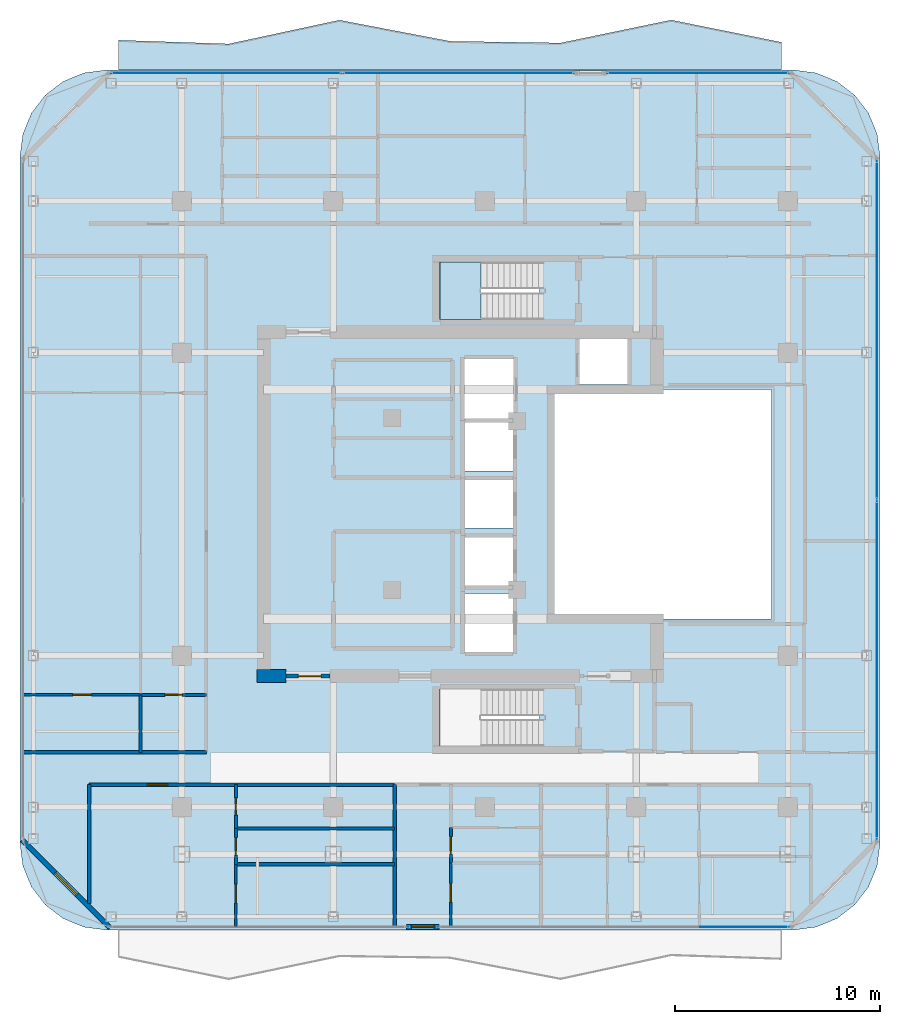
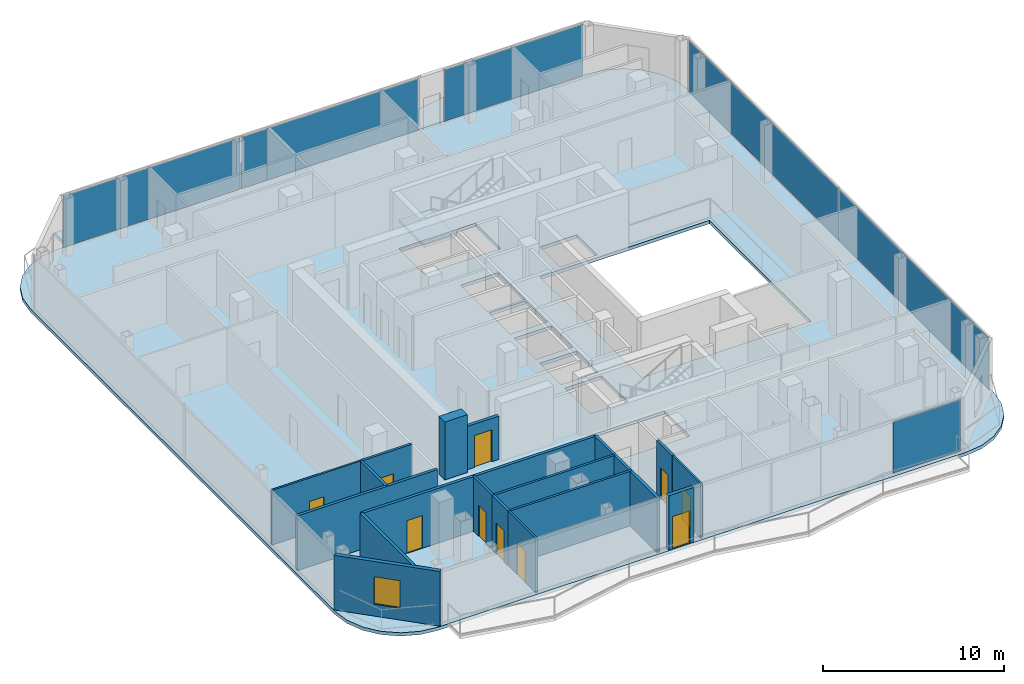
# One storey, part 15 of 22: 18 walls, 10 doors, 7 plates, 3 slabs, 1 window, 11 openings, 5 elements without a shape of their own.
"""IFC4 building model written with IfcOpenShell, lengths in metres."""

from ifc_helpers import new_model, si_unit, direction, frame, frame_2d, origin, origin_2d, place, context, subcontext, project, spatial, polyline, rectangle, outline, extrude, material, layer, layer_set, type_object, element, fill, aggregate, save


model = new_model("IFC4")

# Units and contexts
model_context = context("Model", 3, precision=1e-05, world=origin(), true_north=direction((0.0, 1.0)))
body_context = subcontext(model_context, "Body", "Model", "MODEL_VIEW")
ifc_project = project(units=[si_unit("LENGTHUNIT", "METRE"), si_unit("AREAUNIT", "SQUARE_METRE"), si_unit("VOLUMEUNIT", "CUBIC_METRE"), si_unit("PLANEANGLEUNIT", "RADIAN"), si_unit("MASSUNIT", "GRAM", prefix="KILO")], contexts=[model_context])

# Site, building, storey
site_placement = place(None, origin())
site = spatial("IfcSite", under=ifc_project, at=site_placement, CompositionType="ELEMENT")
building_placement = place(site_placement, origin())
building = spatial("IfcBuilding", under=site, at=building_placement, Name="Khorvyn Point Tower", CompositionType="ELEMENT")
storey_placement = place(building_placement, frame((0.0, 0.0, 305.39990234375)))
storey = spatial("IfcBuildingStorey", under=building, at=storey_placement, Name="L75", CompositionType="ELEMENT", Elevation=305.39990234375)

# Slab
ifc_material_1 = material(Name="Concrete C40/50", Category="concrete")
ifc_layer_1 = layer(ifc_material_1, 0.2099609375)
ifc_layer_set_1 = layer_set([ifc_layer_1], Name="Concrete C40/50 Rippling Balcony Slab 210")
slab_type_1 = type_object("IfcSlabType", Name="Concrete C40/50 Rippling Balcony Slab 210", PredefinedType="USERDEFINED", material=ifc_layer_set_1)
slab_1_placement = place(storey_placement, frame((0.0, 0.0, -0.2099609375)))
element("IfcSlab", 1, at=slab_1_placement, inside=storey, type_object=slab_type_1, Name="L75 North Sinusoidal Rippling Balcony", ObjectType="BALCONY", PredefinedType="USERDEFINED", context=body_context, shape_type="SweptSolid", body=[
    extrude(outline(polyline([(14.5, 21.199951171875), (14.5, 22.554931640625), (9.10009765625, 23.642333984375), (3.699951171875, 22.522705078125), (-1.699951171875, 22.60546875), (-7.10009765625, 23.638427734375), (-12.5, 22.47607421875), (-17.89990234375, 22.65771484375), (-17.89990234375, 21.199951171875), (14.5, 21.199951171875)])), origin(), (0.0, 0.0, 1.0), 0.2099609375),
])

# Stair, slab
stair_type = type_object("IfcStairType", Name="Tower Concrete C40/50 Dogleg Exit Stair", PredefinedType="HALF_TURN_STAIR", material=ifc_material_1)
stair_placement = place(storey_placement, origin())
stair = element("IfcStair", 2, at=stair_placement, inside=storey, type_object=stair_type, Name="L75 Tower Smokeproof Exit Stair North", PredefinedType="HALF_TURN_STAIR")
ifc_layer_2 = layer(ifc_material_1, 0.199951171875)
ifc_layer_set_2 = layer_set([ifc_layer_2], Name="Concrete C40/50 Stair Landing Slab 200")
slab_type_2 = type_object("IfcSlabType", Name="Concrete C40/50 Stair Landing Slab 200", PredefinedType="LANDING", material=ifc_layer_set_2)
slab_2_placement = place(storey_placement, frame((0.0, 0.0, 1.75)))
slab_2 = element("IfcSlab", 3, at=slab_2_placement, type_object=slab_type_2, Name="ST-02 landing 1", PredefinedType="LANDING", context=body_context, shape_type="SweptSolid", body=[
    extrude(outline(polyline([(-0.179931640625, 11.820068359375), (-2.199951171875, 11.820068359375), (-2.199951171875, 9.02001953125), (-0.179931640625, 9.02001953125), (-0.179931640625, 11.820068359375)])), origin(), (0.0, 0.0, 1.0), 0.2001953125),
])
aggregate(stair, [slab_2])

# Slab
ifc_layer_3 = layer(ifc_material_1, 0.264892578125)
ifc_layer_set_3 = layer_set([ifc_layer_3], Name="Concrete C40/50 Structural Floor Slab 265")
slab_type_3 = type_object("IfcSlabType", Name="Concrete C40/50 Structural Floor Slab 265", PredefinedType="FLOOR", material=ifc_layer_set_3)
slab_3_placement = place(storey_placement, frame((0.0, 0.0, -0.219970703125)))
element("IfcSlab", 4, at=slab_3_placement, inside=storey, type_object=slab_type_3, Name="L75 Main Structural Floor Slab", PredefinedType="FLOOR", context=body_context, shape_type="SweptSolid", body=[
    extrude(outline(polyline([(-18.5, -20.800048828125), (-19.5869140625, -20.656982421875), (-20.60009765625, -20.2373046875), (-21.4697265625, -19.56982421875), (-22.13720703125, -18.699951171875), (-22.556884765625, -17.68701171875), (-22.699951171875, -16.60009765625), (-22.699951171875, 17.0), (-22.556884765625, 18.0869140625), (-22.13720703125, 19.10009765625), (-21.4697265625, 19.9697265625), (-20.60009765625, 20.63720703125), (-19.5869140625, 21.056884765625), (-18.5, 21.199951171875), (15.10009765625, 21.199951171875), (16.18701171875, 21.056884765625), (17.199951171875, 20.63720703125), (18.06982421875, 19.9697265625), (18.7373046875, 19.10009765625), (19.156982421875, 18.0869140625), (19.300048828125, 17.0), (19.300048828125, -16.60009765625), (19.156982421875, -17.68701171875), (18.7373046875, -18.699951171875), (18.06982421875, -19.56982421875), (17.199951171875, -20.2373046875), (16.18701171875, -20.656982421875), (15.10009765625, -20.800048828125), (-18.5, -20.800048828125)]), holes=[polyline([(2.679931640625, -11.820068359375), (2.679931640625, -9.02001953125), (-2.199951171875, -9.02001953125), (-2.199951171875, -11.820068359375), (2.679931640625, -11.820068359375)]), polyline([(1.375, -7.22509765625), (1.375, -4.375), (-0.97509765625, -4.375), (-0.97509765625, -7.22509765625), (1.375, -7.22509765625)]), polyline([(1.375, -3.97509765625), (1.375, -1.625), (-0.97509765625, -1.625), (-0.97509765625, -3.97509765625), (1.375, -3.97509765625)]), polyline([(1.375, -1.175048828125), (1.375, 1.175048828125), (-0.97509765625, 1.175048828125), (-0.97509765625, -1.175048828125), (1.375, -1.175048828125)]), polyline([(14.0, -5.60009765625), (14.0, 5.60009765625), (3.199951171875, 5.60009765625), (3.199951171875, -5.60009765625), (14.0, -5.60009765625)]), polyline([(1.375, 1.625), (1.375, 3.97509765625), (-0.97509765625, 3.97509765625), (-0.97509765625, 1.625), (1.375, 1.625)]), polyline([(1.39990234375, 4.125), (1.39990234375, 7.074951171875), (-1.0, 7.074951171875), (-1.0, 4.125), (1.39990234375, 4.125)]), polyline([(4.625, 5.85009765625), (6.97509765625, 5.85009765625), (6.97509765625, 8.054931640625), (4.625, 8.054931640625), (4.625, 5.85009765625)]), polyline([(-2.199951171875, 9.02001953125), (2.679931640625, 9.02001953125), (2.679931640625, 11.820068359375), (-2.199951171875, 11.820068359375), (-2.199951171875, 9.02001953125)])]), origin(), (0.0, 0.0, 1.0), 0.219970703125),
])

# Curtain wall, plate
ifc_material_2 = material(Name="Anodised aluminium 6063-T6 and laminated Low-E glass", Category="aluminium")
ifc_layer_4 = layer(ifc_material_2, 0.18994140625)
ifc_layer_set_4 = layer_set([ifc_layer_4], Name="Stick-Built High-Wind Curtain Wall CW-SYS-04")
curtain_wall_type = type_object("IfcCurtainWallType", Name="Stick-Built High-Wind Curtain Wall CW-SYS-04", PredefinedType="NOTDEFINED", material=ifc_layer_set_4)
curtain_wall_1_placement = place(storey_placement, origin())
curtain_wall_1 = element("IfcCurtainWall", 5, at=curtain_wall_1_placement, inside=storey, type_object=curtain_wall_type, Name="Curtain Wall", PredefinedType="NOTDEFINED")
ifc_material_3 = material(Name="Laminated Low-E insulated glass", Category="glass")
ifc_layer_5 = layer(ifc_material_3, 0.028076171875)
ifc_layer_set_5 = layer_set([ifc_layer_5], Name="Tempered Low-E Vision Glazing Panel CW-GL28")
plate_type = type_object("IfcPlateType", Name="Tempered Low-E Vision Glazing Panel CW-GL28", PredefinedType="CURTAIN_PANEL", material=ifc_layer_set_5)
plate_1_placement = place(storey_placement, frame((12.68994140625, -20.64990234375, 0.10009765625), z_axis=(0.0, 0.0, 1.0), x_axis=(-1.0, 0.0, 0.0)))
plate_1 = element("IfcPlate", 6, at=plate_1_placement, type_object=plate_type, Name="Panel", PredefinedType="CURTAIN_PANEL", context=body_context, shape_type="SweptSolid", body=[
    extrude(rectangle(XDim=4.31201171875, YDim=0.028076171875, at=origin_2d()), origin(), (0.0, 0.0, 1.0), 3.47998046875),
])
aggregate(curtain_wall_1, [plate_1])

# Curtain wall, plates
curtain_wall_2_placement = place(storey_placement, origin())
curtain_wall_2 = element("IfcCurtainWall", 7, at=curtain_wall_2_placement, inside=storey, type_object=curtain_wall_type, Name="Curtain Wall", PredefinedType="NOTDEFINED")
plate_2_placement = place(storey_placement, frame((-12.62646484375, 21.050048828125, 0.10009765625), z_axis=(0.0, 0.0, 1.0), x_axis=(1.0, 0.0, 0.0)))
plate_2 = element("IfcPlate", 8, at=plate_2_placement, type_object=plate_type, Name="Panel", PredefinedType="CURTAIN_PANEL", context=body_context, shape_type="SweptSolid", body=[
    extrude(rectangle(XDim=11.2470703125, YDim=0.028076171875, at=origin_2d()), origin(), (0.0, 0.0, 1.0), 3.47998046875),
])
plate_3_placement = place(storey_placement, frame((-6.093505859375, 21.050048828125, 0.10009765625), z_axis=(0.0, 0.0, 1.0), x_axis=(1.0, 0.0, 0.0)))
plate_3 = element("IfcPlate", 9, at=plate_3_placement, type_object=plate_type, Name="Panel", PredefinedType="CURTAIN_PANEL", context=body_context, shape_type="SweptSolid", body=[
    extrude(rectangle(XDim=1.611083984375, YDim=0.028076171875, at=origin_2d()), origin(), (0.0, 0.0, 1.0), 3.47998046875),
])
plate_4_placement = place(storey_placement, frame((-0.469970703125, 21.050048828125, 0.10009765625), z_axis=(0.0, 0.0, 1.0), x_axis=(1.0, 0.0, 0.0)))
plate_4 = element("IfcPlate", 10, at=plate_4_placement, type_object=plate_type, Name="Panel", PredefinedType="CURTAIN_PANEL", context=body_context, shape_type="SweptSolid", body=[
    extrude(rectangle(XDim=9.6201171875, YDim=0.028076171875, at=origin_2d()), origin(), (0.0, 0.0, 1.0), 3.47998046875),
])
aggregate(curtain_wall_2, [plate_2, plate_3, plate_4])

# Curtain wall, plate
curtain_wall_3_placement = place(storey_placement, origin())
curtain_wall_3 = element("IfcCurtainWall", 11, at=curtain_wall_3_placement, inside=storey, type_object=curtain_wall_type, Name="Curtain Wall", PredefinedType="NOTDEFINED")
plate_5_placement = place(storey_placement, frame((10.4169921875, 21.050048828125, 0.10009765625), z_axis=(0.0, 0.0, 1.0), x_axis=(1.0, 0.0, 0.0)))
plate_5 = element("IfcPlate", 12, at=plate_5_placement, type_object=plate_type, Name="Panel", PredefinedType="CURTAIN_PANEL", context=body_context, shape_type="SweptSolid", body=[
    extrude(rectangle(XDim=8.865966796875, YDim=0.028076171875, at=origin_2d()), origin(), (0.0, 0.0, 1.0), 3.47998046875),
])
aggregate(curtain_wall_3, [plate_5])

# Curtain wall, plates
curtain_wall_4_placement = place(storey_placement, origin())
curtain_wall_4 = element("IfcCurtainWall", 13, at=curtain_wall_4_placement, inside=storey, type_object=curtain_wall_type, Name="Curtain Wall", PredefinedType="NOTDEFINED")
plate_6_placement = place(storey_placement, frame((19.14990234375, 8.5, 0.10009765625), z_axis=(0.0, 0.0, 1.0), x_axis=(0.0, -1.0, 0.0)))
plate_6 = element("IfcPlate", 14, at=plate_6_placement, type_object=plate_type, Name="Panel", PredefinedType="CURTAIN_PANEL", context=body_context, shape_type="SweptSolid", body=[
    extrude(rectangle(XDim=16.5, YDim=0.028076171875, at=origin_2d()), origin(), (0.0, 0.0, 1.0), 3.47998046875),
])
plate_7_placement = place(storey_placement, frame((19.14990234375, -8.10009765625, 0.10009765625), z_axis=(0.0, 0.0, 1.0), x_axis=(0.0, -1.0, 0.0)))
plate_7 = element("IfcPlate", 15, at=plate_7_placement, type_object=plate_type, Name="Panel", PredefinedType="CURTAIN_PANEL", context=body_context, shape_type="SweptSolid", body=[
    extrude(rectangle(XDim=16.5, YDim=0.028076171875, at=origin_2d()), origin(), (0.0, 0.0, 1.0), 3.47998046875),
])
aggregate(curtain_wall_4, [plate_6, plate_7])

# Wall, opening, door
ifc_material_4 = material(Name="Double acoustic gypsum on twin steel stud", Category="steel")
ifc_layer_6 = layer(ifc_material_4, 0.179931640625)
ifc_layer_set_6 = layer_set([ifc_layer_6], Name="Acoustic Double-Stud Apartment Demising Wall 180")
wall_type_1 = type_object("IfcWallType", Name="Acoustic Double-Stud Apartment Demising Wall 180", PredefinedType="PARTITIONING", material=ifc_layer_set_6)
wall_1_placement = place(storey_placement, frame((-19.320068359375, -13.699951171875, 0.0), z_axis=(0.0, 0.0, 1.0), x_axis=(1.0, 0.0, 0.0)))
wall_1 = element("IfcWall", 16, at=wall_1_placement, inside=storey, type_object=wall_type_1, Name="Wall", PredefinedType="PARTITIONING", context=body_context, shape_type="SweptSolid", body=[
    extrude(rectangle(XDim=14.91796875, YDim=0.179931640625, at=frame_2d((7.458984375, 0.0))), origin(), (0.0, 0.0, 1.0), 3.68017578125),
])
opening_1_placement = place(wall_1_placement, frame((2.84375, 0.0, 0.0)))
opening_1 = element("IfcOpeningElement", 17, at=opening_1_placement, cuts=wall_1, Name="Opening ID-AP60", PredefinedType="OPENING", context=body_context, shape_type="SweptSolid", body=[
    extrude(rectangle(XDim=1.0, YDim=2.199951171875, at=frame_2d((0.5, 1.10009765625))), frame((0.0, 0.099853515625, 0.0), z_axis=(0.0, -1.0, 0.0), x_axis=(1.0, 0.0, 0.0)), (0.0, 0.0, 1.0), 0.199951171875),
])
ifc_material_5 = material(Name="Engineered hardwood fire-rated leaf", Category="wood")
door_type_1 = type_object("IfcDoorType", Name="Acoustic Solid-Core Timber Apartment Entrance Door 1000x2200", OperationType="NOTDEFINED", PredefinedType="DOOR", material=ifc_material_5)
door_1_placement = place(opening_1_placement, origin())
door_1 = element("IfcDoor", 18, at=door_1_placement, inside=storey, type_object=door_type_1, Name="Door", OperationType="SINGLE_SWING_RIGHT", OverallHeight=2.199951171875, OverallWidth=1.0, PredefinedType="DOOR", context=body_context, shape_type="SweptSolid", body=[
    extrude(rectangle(XDim=1.0, YDim=2.199951171875, at=frame_2d((0.5, 1.10009765625))), frame((0.0, 0.02490234375, 0.0), z_axis=(0.0, -1.0, 0.0), x_axis=(1.0, 0.0, 0.0)), (0.0, 0.0, 1.0), 0.050048828125),
])
fill(opening_1, door_1)

# Walls
wall_2_placement = place(storey_placement, frame((-19.320068359375, -19.510009765625, 0.0), z_axis=(0.0, 0.0, 1.0), x_axis=(0.0, 1.0, 0.0)))
element("IfcWall", 19, at=wall_2_placement, inside=storey, type_object=wall_type_1, Name="Wall", PredefinedType="PARTITIONING", context=body_context, shape_type="SweptSolid", body=[
    extrude(rectangle(XDim=5.81005859375, YDim=0.179931640625, at=frame_2d((2.905029296875, 0.0))), origin(), (0.0, 0.0, 1.0), 3.68017578125),
])
wall_3_placement = place(storey_placement, frame((-4.402099609375, -20.6298828125, 0.0), z_axis=(0.0, 0.0, 1.0), x_axis=(0.0, 1.0, 0.0)))
element("IfcWall", 20, at=wall_3_placement, inside=storey, type_object=wall_type_1, Name="Wall", PredefinedType="PARTITIONING", context=body_context, shape_type="SweptSolid", body=[
    extrude(rectangle(XDim=6.929931640625, YDim=0.179931640625, at=frame_2d((3.46484375, 0.0))), origin(), (0.0, 0.0, 1.0), 3.68017578125),
])
wall_4_placement = place(storey_placement, frame((-22.530029296875, -12.1201171875, 0.0), z_axis=(0.0, 0.0, 1.0), x_axis=(1.0, 0.0, 0.0)))
element("IfcWall", 21, at=wall_4_placement, inside=storey, type_object=wall_type_1, Name="Wall", PredefinedType="PARTITIONING", context=body_context, shape_type="SweptSolid", body=[
    extrude(rectangle(XDim=8.929931640625, YDim=0.179931640625, at=frame_2d((4.46484375, 0.0))), origin(), (0.0, 0.0, 1.0), 3.68017578125),
])

# Wall, opening, door
ifc_material_6 = material(Name="Pale anodised aluminium rainscreen on steel stud", Category="steel")
ifc_layer_7 = layer(ifc_material_6, 0.239990234375)
ifc_layer_set_7 = layer_set([ifc_layer_7], Name="Anodised Aluminium Insulated Corner Spandrel Wall 240")
wall_type_2 = type_object("IfcWallType", Name="Anodised Aluminium Insulated Corner Spandrel Wall 240", PredefinedType="SOLIDWALL", material=ifc_layer_set_7)
wall_5_placement = place(storey_placement, frame((-2.237060546875, -20.64990234375, 0.0), z_axis=(0.0, 0.0, 1.0), x_axis=(-1.0, 0.0, 0.0)))
wall_5 = element("IfcWall", 22, at=wall_5_placement, inside=storey, type_object=wall_type_2, Name="L75 South Outdoor Threshold Wall", PredefinedType="SOLIDWALL", context=body_context, shape_type="SweptSolid", body=[
    extrude(rectangle(XDim=1.579833984375, YDim=0.239990234375, at=frame_2d((0.7900390625, 0.0))), origin(), (0.0, 0.0, 1.0), 3.68017578125),
])
opening_2_placement = place(wall_5_placement, frame((0.239990234375, 0.0, 0.0)))
opening_2 = element("IfcOpeningElement", 23, at=opening_2_placement, cuts=wall_5, Name="Opening BD-1122", PredefinedType="OPENING", context=body_context, shape_type="SweptSolid", body=[
    extrude(rectangle(XDim=1.10009765625, YDim=2.199951171875, at=frame_2d((0.550048828125, 1.10009765625))), frame((0.0, 0.1298828125, 0.0), z_axis=(0.0, -1.0, 0.0), x_axis=(1.0, 0.0, 0.0)), (0.0, 0.0, 1.0), 0.260009765625),
])
door_type_2 = type_object("IfcDoorType", Name="Glazed Balcony and Terrace Threshold Door 1100x2200", OperationType="NOTDEFINED", PredefinedType="DOOR", material=ifc_material_2)
door_2_placement = place(opening_2_placement, origin())
door_2 = element("IfcDoor", 24, at=door_2_placement, inside=storey, type_object=door_type_2, Name="L75 South Glazed Balcony Outdoor Door", OperationType="SINGLE_SWING_LEFT", OverallHeight=2.199951171875, OverallWidth=1.10009765625, PredefinedType="DOOR", context=body_context, shape_type="SweptSolid", body=[
    extrude(rectangle(XDim=1.10009765625, YDim=2.199951171875, at=frame_2d((0.550048828125, 1.10009765625))), frame((0.0, 0.02490234375, 0.0), z_axis=(0.0, -1.0, 0.0), x_axis=(1.0, 0.0, 0.0)), (0.0, 0.0, 1.0), 0.050048828125),
])
fill(opening_2, door_2)

# Wall, opening, window
wall_6_placement = place(storey_placement, frame((-18.3076171875, -20.6923828125, 0.0), z_axis=(0.0, 0.0, 1.0), x_axis=(-0.707106781187, 0.707106781187, 0.0)))
wall_6 = element("IfcWall", 25, at=wall_6_placement, inside=storey, type_object=wall_type_2, Name="L75 Rounded Corner Wall SW", PredefinedType="SOLIDWALL", context=body_context, shape_type="SweptSolid", body=[
    extrude(rectangle(XDim=6.059326171875, YDim=0.239990234375, at=frame_2d((3.02978515625, 0.0))), origin(), (0.0, 0.0, 1.0), 3.68017578125),
])
opening_3_placement = place(wall_6_placement, frame((2.27978515625, 0.0, 0.800048828125)))
opening_3 = element("IfcOpeningElement", 26, at=opening_3_placement, cuts=wall_6, Name="Opening WN-1518", PredefinedType="OPENING", context=body_context, shape_type="SweptSolid", body=[
    extrude(rectangle(XDim=1.5, YDim=1.85009765625, at=frame_2d((0.75, 0.925048828125))), frame((0.0, 0.1298828125, 0.0), z_axis=(0.0, -1.0, 0.0), x_axis=(1.0, 0.0, 0.0)), (0.0, 0.0, 1.0), 0.260009765625),
])
window_type = type_object("IfcWindowType", Name="Anodised Aluminium Rounded-Corner Panoramic Window 1500x1850", PartitioningType="SINGLE_PANEL", PredefinedType="WINDOW", material=ifc_material_2)
window_placement = place(opening_3_placement, origin())
window = element("IfcWindow", 27, at=window_placement, inside=storey, type_object=window_type, Name="L75 Corner Panoramic Window SW", OverallHeight=1.85009765625, OverallWidth=1.5, PartitioningType="SINGLE_PANEL", PredefinedType="WINDOW", context=body_context, shape_type="SweptSolid", body=[
    extrude(rectangle(XDim=1.5, YDim=1.85009765625, at=frame_2d((0.75, 0.925048828125))), frame((0.0, 0.030029296875, 0.0), z_axis=(0.0, -1.0, 0.0), x_axis=(1.0, 0.0, 0.0)), (0.0, 0.0, 1.0), 0.06005859375),
])
fill(opening_3, window)

# Wall
ifc_layer_8 = layer(ifc_material_1, 0.64990234375)
ifc_layer_set_8 = layer_set([ifc_layer_8], Name="Concrete C40/50 Core Shear Wall 650")
wall_type_3 = type_object("IfcWallType", Name="Concrete C40/50 Core Shear Wall 650", PredefinedType="SHEAR", material=ifc_layer_set_8)
wall_7_placement = place(storey_placement, frame((-11.125, -8.39990234375, 0.0), z_axis=(0.0, 0.0, 1.0), x_axis=(1.0, 0.0, 0.0)))
element("IfcWall", 28, at=wall_7_placement, inside=storey, type_object=wall_type_3, Name="Wall", PredefinedType="SHEAR", context=body_context, shape_type="SweptSolid", body=[
    extrude(rectangle(XDim=1.425048828125, YDim=0.64990234375, at=frame_2d((0.71240234375, 0.0))), origin(), (0.0, 0.0, 1.0), 3.900146484375),
])

# Wall, opening, door
ifc_layer_9 = layer(ifc_material_1, 0.199951171875)
ifc_layer_set_9 = layer_set([ifc_layer_9], Name="Concrete C40/50 Fire-Lobby Compartment Wall 200")
wall_type_4 = type_object("IfcWallType", Name="Concrete C40/50 Fire-Lobby Compartment Wall 200", PredefinedType="SOLIDWALL", material=ifc_layer_set_9)
wall_8_placement = place(storey_placement, frame((-9.699951171875, -8.39990234375, 0.0), z_axis=(0.0, 0.0, 1.0), x_axis=(1.0, 0.0, 0.0)))
wall_8 = element("IfcWall", 29, at=wall_8_placement, inside=storey, type_object=wall_type_4, Name="Wall", PredefinedType="SOLIDWALL", context=body_context, shape_type="SweptSolid", body=[
    extrude(rectangle(XDim=2.14990234375, YDim=0.199951171875, at=frame_2d((1.074951171875, 0.0))), origin(), (0.0, 0.0, 1.0), 2.920166015625),
])
opening_4_placement = place(wall_8_placement, frame((0.597900390625, 0.0, 0.0)))
opening_4 = element("IfcOpeningElement", 30, at=opening_4_placement, cuts=wall_8, Name="Opening ID-FL90", PredefinedType="OPENING", context=body_context, shape_type="SweptSolid", body=[
    extrude(rectangle(XDim=1.10009765625, YDim=2.14990234375, at=frame_2d((0.550048828125, 1.074951171875))), frame((0.0, 0.10986328125, 0.0), z_axis=(0.0, -1.0, 0.0), x_axis=(1.0, 0.0, 0.0)), (0.0, 0.0, 1.0), 0.219970703125),
])
ifc_material_7 = material(Name="Galvanised powder-coated steel", Category="steel")
door_type_3 = type_object("IfcDoorType", Name="Fire-Rated Steel Lobby and Stair Door 1100x2150", OperationType="NOTDEFINED", PredefinedType="DOOR", material=ifc_material_7)
door_3_placement = place(opening_4_placement, origin())
door_3 = element("IfcDoor", 31, at=door_3_placement, inside=storey, type_object=door_type_3, Name="Door", OperationType="SINGLE_SWING_LEFT", OverallHeight=2.14990234375, OverallWidth=1.10009765625, PredefinedType="DOOR", context=body_context, shape_type="SweptSolid", body=[
    extrude(rectangle(XDim=1.10009765625, YDim=2.14990234375, at=frame_2d((0.550048828125, 1.074951171875))), frame((0.0, 0.02490234375, 0.0), z_axis=(0.0, -1.0, 0.0), x_axis=(1.0, 0.0, 0.0)), (0.0, 0.0, 1.0), 0.050048828125),
])
fill(opening_4, door_3)

ifc_material_8 = material(Name="Gypsum plasterboard on steel stud", Category="steel")
ifc_layer_10 = layer(ifc_material_8, 0.1201171875)
ifc_layer_set_10 = layer_set([ifc_layer_10], Name="Gypsum Acoustic Stud Room Partition Wall 120")
wall_type_5 = type_object("IfcWallType", Name="Gypsum Acoustic Stud Room Partition Wall 120", PredefinedType="PARTITIONING", material=ifc_layer_set_10)
wall_9_placement = place(storey_placement, frame((-12.158935546875, -20.6298828125, 0.0), z_axis=(0.0, 0.0, 1.0), x_axis=(0.0, 1.0, 0.0)))
wall_9 = element("IfcWall", 32, at=wall_9_placement, inside=storey, type_object=wall_type_5, Name="Wall", PredefinedType="PARTITIONING", context=body_context, shape_type="SweptSolid", body=[
    extrude(rectangle(XDim=3.039794921875, YDim=0.1201171875, at=frame_2d((1.52001953125, 0.0))), origin(), (0.0, 0.0, 1.0), 3.68017578125),
])
opening_5_placement = place(wall_9_placement, frame((1.152587890625, 0.0, 0.0)))
opening_5 = element("IfcOpeningElement", 33, at=opening_5_placement, cuts=wall_9, Name="Opening ID-RM90", PredefinedType="OPENING", context=body_context, shape_type="SweptSolid", body=[
    extrude(rectangle(XDim=0.89990234375, YDim=2.10009765625, at=frame_2d((0.449951171875, 1.050048828125))), frame((0.0, 0.070068359375, 0.0), z_axis=(0.0, -1.0, 0.0), x_axis=(1.0, 0.0, 0.0)), (0.0, 0.0, 1.0), 0.14013671875),
])
ifc_material_9 = material(Name="Engineered oak veneer timber", Category="wood")
door_type_4 = type_object("IfcDoorType", Name="Flush Engineered Timber Room Door 900x2100", OperationType="NOTDEFINED", PredefinedType="DOOR", material=ifc_material_9)
door_4_placement = place(opening_5_placement, origin())
door_4 = element("IfcDoor", 34, at=door_4_placement, inside=storey, type_object=door_type_4, Name="Door", OperationType="SINGLE_SWING_LEFT", OverallHeight=2.10009765625, OverallWidth=0.89990234375, PredefinedType="DOOR", context=body_context, shape_type="SweptSolid", body=[
    extrude(rectangle(XDim=0.89990234375, YDim=2.10009765625, at=frame_2d((0.449951171875, 1.050048828125))), frame((0.0, 0.02490234375, 0.0), z_axis=(0.0, -1.0, 0.0), x_axis=(1.0, 0.0, 0.0)), (0.0, 0.0, 1.0), 0.050048828125),
])
fill(opening_5, door_4)

wall_10_placement = place(storey_placement, frame((-1.652099609375, -20.6298828125, 0.0), z_axis=(0.0, 0.0, 1.0), x_axis=(0.0, 1.0, 0.0)))
wall_10 = element("IfcWall", 35, at=wall_10_placement, inside=storey, type_object=wall_type_5, Name="Wall", PredefinedType="PARTITIONING", context=body_context, shape_type="SweptSolid", body=[
    extrude(rectangle(XDim=3.10595703125, YDim=0.1201171875, at=frame_2d((1.552978515625, 0.0))), origin(), (0.0, 0.0, 1.0), 3.68017578125),
])
opening_6_placement = place(wall_10_placement, frame((1.188720703125, 0.0, 0.0)))
opening_6 = element("IfcOpeningElement", 36, at=opening_6_placement, cuts=wall_10, Name="Opening ID-RM90", PredefinedType="OPENING", context=body_context, shape_type="SweptSolid", body=[
    extrude(rectangle(XDim=0.89990234375, YDim=2.10009765625, at=frame_2d((0.449951171875, 1.050048828125))), frame((0.0, 0.070068359375, 0.0), z_axis=(0.0, -1.0, 0.0), x_axis=(1.0, 0.0, 0.0)), (0.0, 0.0, 1.0), 0.14013671875),
])
door_5_placement = place(opening_6_placement, origin())
door_5 = element("IfcDoor", 37, at=door_5_placement, inside=storey, type_object=door_type_4, Name="Door", OperationType="SINGLE_SWING_LEFT", OverallHeight=2.10009765625, OverallWidth=0.89990234375, PredefinedType="DOOR", context=body_context, shape_type="SweptSolid", body=[
    extrude(rectangle(XDim=0.89990234375, YDim=2.10009765625, at=frame_2d((0.449951171875, 1.050048828125))), frame((0.0, 0.02490234375, 0.0), z_axis=(0.0, -1.0, 0.0), x_axis=(1.0, 0.0, 0.0)), (0.0, 0.0, 1.0), 0.050048828125),
])
fill(opening_6, door_5)

wall_11_placement = place(storey_placement, frame((-22.530029296875, -9.320068359375, 0.0), z_axis=(0.0, 0.0, 1.0), x_axis=(1.0, 0.0, 0.0)))
wall_11 = element("IfcWall", 38, at=wall_11_placement, inside=storey, type_object=wall_type_5, Name="Wall", PredefinedType="PARTITIONING", context=body_context, shape_type="SweptSolid", body=[
    extrude(rectangle(XDim=5.720947265625, YDim=0.1201171875, at=frame_2d((2.8603515625, 0.0))), origin(), (0.0, 0.0, 1.0), 3.68017578125),
])
opening_7_placement = place(wall_11_placement, frame((2.410400390625, 0.0, 0.0)))
opening_7 = element("IfcOpeningElement", 39, at=opening_7_placement, cuts=wall_11, Name="Opening ID-RM90", PredefinedType="OPENING", context=body_context, shape_type="SweptSolid", body=[
    extrude(rectangle(XDim=0.89990234375, YDim=2.10009765625, at=frame_2d((0.449951171875, 1.050048828125))), frame((0.0, 0.070068359375, 0.0), z_axis=(0.0, -1.0, 0.0), x_axis=(1.0, 0.0, 0.0)), (0.0, 0.0, 1.0), 0.14013671875),
])
door_6_placement = place(opening_7_placement, origin())
door_6 = element("IfcDoor", 40, at=door_6_placement, inside=storey, type_object=door_type_4, Name="Door", OperationType="SINGLE_SWING_LEFT", OverallHeight=2.10009765625, OverallWidth=0.89990234375, PredefinedType="DOOR", context=body_context, shape_type="SweptSolid", body=[
    extrude(rectangle(XDim=0.89990234375, YDim=2.10009765625, at=frame_2d((0.449951171875, 1.050048828125))), frame((0.0, 0.02490234375, 0.0), z_axis=(0.0, -1.0, 0.0), x_axis=(1.0, 0.0, 0.0)), (0.0, 0.0, 1.0), 0.050048828125),
])
fill(opening_7, door_6)

ifc_material_10 = material(Name="Moisture-resistant gypsum and cement board", Category="gypsum")
ifc_layer_11 = layer(ifc_material_10, 0.14990234375)
ifc_layer_set_11 = layer_set([ifc_layer_11], Name="Moisture-Resistant Wet-Room Partition Wall 150")
wall_type_6 = type_object("IfcWallType", Name="Moisture-Resistant Wet-Room Partition Wall 150", PredefinedType="PARTITIONING", material=ifc_layer_set_11)
wall_12_placement = place(storey_placement, frame((-12.158935546875, -15.839111328125, 0.0), z_axis=(0.0, 0.0, 1.0), x_axis=(0.0, 1.0, 0.0)))
wall_12 = element("IfcWall", 41, at=wall_12_placement, inside=storey, type_object=wall_type_6, Name="Wall", PredefinedType="PARTITIONING", context=body_context, shape_type="SweptSolid", body=[
    extrude(rectangle(XDim=2.13916015625, YDim=0.14990234375, at=frame_2d((1.069580078125, 0.0))), origin(), (0.0, 0.0, 1.0), 3.68017578125),
])
opening_8_placement = place(wall_12_placement, frame((0.64453125, 0.0, 0.0)))
opening_8 = element("IfcOpeningElement", 42, at=opening_8_placement, cuts=wall_12, Name="Opening ID-WC85", PredefinedType="OPENING", context=body_context, shape_type="SweptSolid", body=[
    extrude(rectangle(XDim=0.85009765625, YDim=2.10009765625, at=frame_2d((0.425048828125, 1.050048828125))), frame((0.0, 0.0849609375, 0.0), z_axis=(0.0, -1.0, 0.0), x_axis=(1.0, 0.0, 0.0)), (0.0, 0.0, 1.0), 0.169921875),
])
ifc_material_11 = material(Name="High-pressure laminate on moisture-resistant core", Category="wood")
door_type_5 = type_object("IfcDoorType", Name="Moisture-Resistant Accessible Washroom Door 850x2100", OperationType="NOTDEFINED", PredefinedType="DOOR", material=ifc_material_11)
door_7_placement = place(opening_8_placement, origin())
door_7 = element("IfcDoor", 43, at=door_7_placement, inside=storey, type_object=door_type_5, Name="Door", OperationType="SINGLE_SWING_LEFT", OverallHeight=2.10009765625, OverallWidth=0.85009765625, PredefinedType="DOOR", context=body_context, shape_type="SweptSolid", body=[
    extrude(rectangle(XDim=0.85009765625, YDim=2.10009765625, at=frame_2d((0.425048828125, 1.050048828125))), frame((0.0, 0.02490234375, 0.0), z_axis=(0.0, -1.0, 0.0), x_axis=(1.0, 0.0, 0.0)), (0.0, 0.0, 1.0), 0.050048828125),
])
fill(opening_8, door_7)

wall_13_placement = place(storey_placement, frame((-12.158935546875, -17.590087890625, 0.0), z_axis=(0.0, 0.0, 1.0), x_axis=(0.0, 1.0, 0.0)))
wall_13 = element("IfcWall", 44, at=wall_13_placement, inside=storey, type_object=wall_type_6, Name="Wall", PredefinedType="PARTITIONING", context=body_context, shape_type="SweptSolid", body=[
    extrude(rectangle(XDim=1.7509765625, YDim=0.14990234375, at=frame_2d((0.87548828125, 0.0))), origin(), (0.0, 0.0, 1.0), 3.68017578125),
])
opening_9_placement = place(wall_13_placement, frame((0.450439453125, 0.0, 0.0)))
opening_9 = element("IfcOpeningElement", 45, at=opening_9_placement, cuts=wall_13, Name="Opening ID-WC85", PredefinedType="OPENING", context=body_context, shape_type="SweptSolid", body=[
    extrude(rectangle(XDim=0.85009765625, YDim=2.10009765625, at=frame_2d((0.425048828125, 1.050048828125))), frame((0.0, 0.0849609375, 0.0), z_axis=(0.0, -1.0, 0.0), x_axis=(1.0, 0.0, 0.0)), (0.0, 0.0, 1.0), 0.169921875),
])
door_8_placement = place(opening_9_placement, origin())
door_8 = element("IfcDoor", 46, at=door_8_placement, inside=storey, type_object=door_type_5, Name="Door", OperationType="SINGLE_SWING_RIGHT", OverallHeight=2.10009765625, OverallWidth=0.85009765625, PredefinedType="DOOR", context=body_context, shape_type="SweptSolid", body=[
    extrude(rectangle(XDim=0.85009765625, YDim=2.10009765625, at=frame_2d((0.425048828125, 1.050048828125))), frame((0.0, 0.02490234375, 0.0), z_axis=(0.0, -1.0, 0.0), x_axis=(1.0, 0.0, 0.0)), (0.0, 0.0, 1.0), 0.050048828125),
])
fill(opening_9, door_8)

wall_14_placement = place(storey_placement, frame((-1.652099609375, -17.52392578125, 0.0), z_axis=(0.0, 0.0, 1.0), x_axis=(0.0, 1.0, 0.0)))
wall_14 = element("IfcWall", 47, at=wall_14_placement, inside=storey, type_object=wall_type_6, Name="Wall", PredefinedType="PARTITIONING", context=body_context, shape_type="SweptSolid", body=[
    extrude(rectangle(XDim=1.720947265625, YDim=0.14990234375, at=frame_2d((0.8603515625, 0.0))), origin(), (0.0, 0.0, 1.0), 3.68017578125),
])
opening_10_placement = place(wall_14_placement, frame((0.435546875, 0.0, 0.0)))
opening_10 = element("IfcOpeningElement", 48, at=opening_10_placement, cuts=wall_14, Name="Opening ID-WC85", PredefinedType="OPENING", context=body_context, shape_type="SweptSolid", body=[
    extrude(rectangle(XDim=0.85009765625, YDim=2.10009765625, at=frame_2d((0.425048828125, 1.050048828125))), frame((0.0, 0.0849609375, 0.0), z_axis=(0.0, -1.0, 0.0), x_axis=(1.0, 0.0, 0.0)), (0.0, 0.0, 1.0), 0.169921875),
])
door_9_placement = place(opening_10_placement, origin())
door_9 = element("IfcDoor", 49, at=door_9_placement, inside=storey, type_object=door_type_5, Name="Door", OperationType="SINGLE_SWING_RIGHT", OverallHeight=2.10009765625, OverallWidth=0.85009765625, PredefinedType="DOOR", context=body_context, shape_type="SweptSolid", body=[
    extrude(rectangle(XDim=0.85009765625, YDim=2.10009765625, at=frame_2d((0.425048828125, 1.050048828125))), frame((0.0, 0.02490234375, 0.0), z_axis=(0.0, -1.0, 0.0), x_axis=(1.0, 0.0, 0.0)), (0.0, 0.0, 1.0), 0.050048828125),
])
fill(opening_10, door_9)

wall_15_placement = place(storey_placement, frame((-16.80908203125, -9.320068359375, 0.0), z_axis=(0.0, 0.0, 1.0), x_axis=(1.0, 0.0, 0.0)))
wall_15 = element("IfcWall", 50, at=wall_15_placement, inside=storey, type_object=wall_type_6, Name="Wall", PredefinedType="PARTITIONING", context=body_context, shape_type="SweptSolid", body=[
    extrude(rectangle(XDim=3.208984375, YDim=0.14990234375, at=frame_2d((1.6044921875, 0.0))), origin(), (0.0, 0.0, 1.0), 3.68017578125),
])
opening_11_placement = place(wall_15_placement, frame((1.179443359375, 0.0, 0.0)))
opening_11 = element("IfcOpeningElement", 51, at=opening_11_placement, cuts=wall_15, Name="Opening ID-WC85", PredefinedType="OPENING", context=body_context, shape_type="SweptSolid", body=[
    extrude(rectangle(XDim=0.85009765625, YDim=2.10009765625, at=frame_2d((0.425048828125, 1.050048828125))), frame((0.0, 0.0849609375, 0.0), z_axis=(0.0, -1.0, 0.0), x_axis=(1.0, 0.0, 0.0)), (0.0, 0.0, 1.0), 0.169921875),
])
door_10_placement = place(opening_11_placement, origin())
door_10 = element("IfcDoor", 52, at=door_10_placement, inside=storey, type_object=door_type_5, Name="Door", OperationType="SINGLE_SWING_RIGHT", OverallHeight=2.10009765625, OverallWidth=0.85009765625, PredefinedType="DOOR", context=body_context, shape_type="SweptSolid", body=[
    extrude(rectangle(XDim=0.85009765625, YDim=2.10009765625, at=frame_2d((0.425048828125, 1.050048828125))), frame((0.0, 0.02490234375, 0.0), z_axis=(0.0, -1.0, 0.0), x_axis=(1.0, 0.0, 0.0)), (0.0, 0.0, 1.0), 0.050048828125),
])
fill(opening_11, door_10)

# Walls
for number, where, z_axis, x_axis, name in (
    (53, (-12.158935546875, -15.839111328125, 0.0), (0.0, 0.0, 1.0), (1.0, 0.0, 0.0), "Wall"),
    (54, (-12.158935546875, -17.590087890625, 0.0), (0.0, 0.0, 1.0), (1.0, 0.0, 0.0), "Wall"),
):
    element("IfcWall", number, at=place(storey_placement, frame(where, z_axis=z_axis, x_axis=x_axis)), inside=storey, type_object=wall_type_6, Name=name, PredefinedType="PARTITIONING", context=body_context, shape_type="SweptSolid", body=[
        extrude(rectangle(XDim=7.7568359375, YDim=0.14990234375, at=frame_2d((3.87841796875, 0.0))), origin(), (0.0, 0.0, 1.0), 3.68017578125),
    ])
wall_16_placement = place(storey_placement, frame((-16.80908203125, -12.1201171875, 0.0), z_axis=(0.0, 0.0, 1.0), x_axis=(0.0, 1.0, 0.0)))
element("IfcWall", 55, at=wall_16_placement, inside=storey, type_object=wall_type_6, Name="Wall", PredefinedType="PARTITIONING", context=body_context, shape_type="SweptSolid", body=[
    extrude(rectangle(XDim=2.800048828125, YDim=0.14990234375, at=frame_2d((1.39990234375, 0.0))), origin(), (0.0, 0.0, 1.0), 3.68017578125),
])

save(model, "model.ifc")
